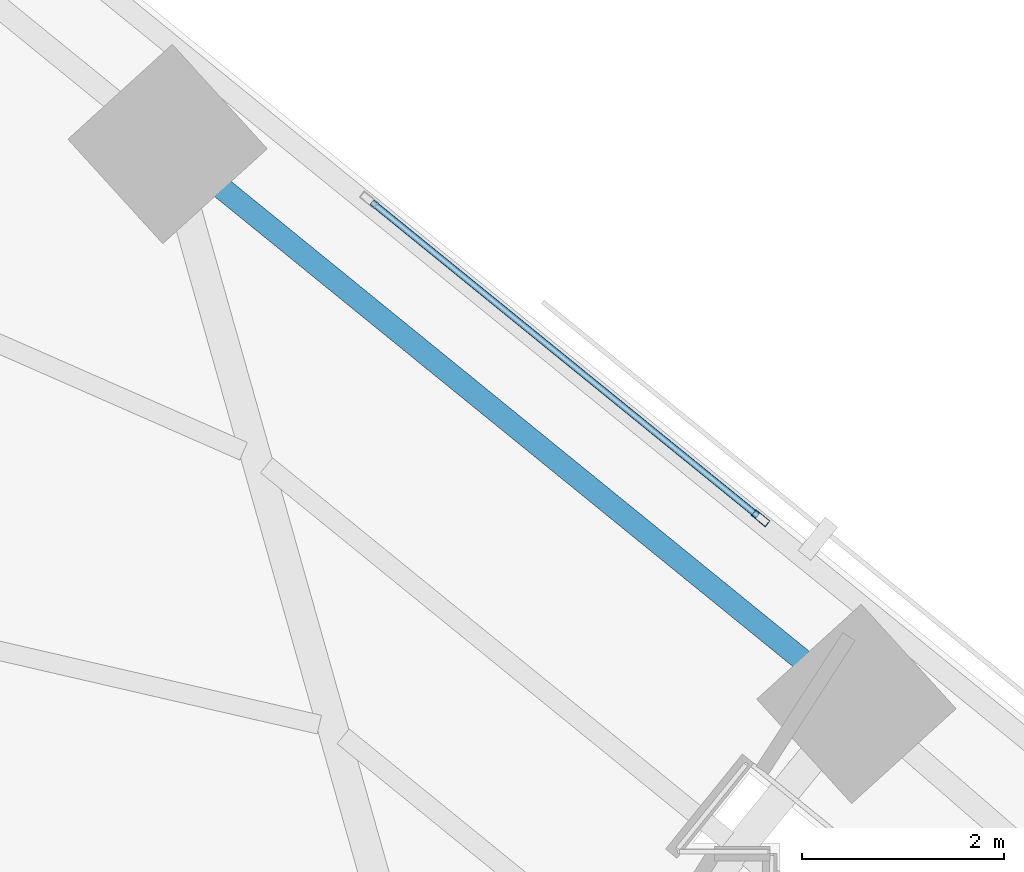
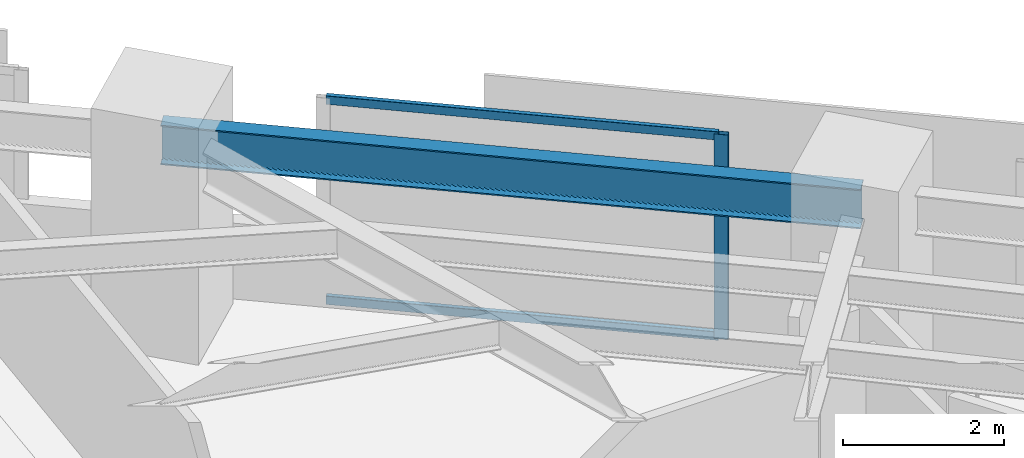
# One storey, part 11 of 17: 3 members, 1 beam, 1 element without a shape of its own.
"""IFC4 building model written with IfcOpenShell, lengths in metres."""

from ifc_helpers import new_model, si_unit, direction, frame, origin, origin_2d, place, context, subcontext, project, spatial, hollow_rectangle, i_section, extrude, material, material_profile, profile_set, type_object, element, aggregate, save


model = new_model("IFC4")

# Units and contexts
model_context = context("Model", 3, precision=1e-05, world=origin(), true_north=direction((0.0, 1.0)))
body_context = subcontext(model_context, "Body", "Model", "MODEL_VIEW")
ifc_project = project(units=[si_unit("LENGTHUNIT", "METRE"), si_unit("AREAUNIT", "SQUARE_METRE"), si_unit("VOLUMEUNIT", "CUBIC_METRE"), si_unit("PLANEANGLEUNIT", "RADIAN"), si_unit("MASSUNIT", "GRAM", prefix="KILO")], contexts=[model_context])

# Site, building, storey
site_placement = place(None, origin())
site = spatial("IfcSite", under=ifc_project, at=site_placement, CompositionType="ELEMENT")
building_placement = place(site_placement, origin())
building = spatial("IfcBuilding", under=site, at=building_placement, Name="Narakoshi Arena Tower", CompositionType="ELEMENT")
storey_placement = place(building_placement, frame((0.0, 0.0, 55.5)))
storey = spatial("IfcBuildingStorey", under=building, at=storey_placement, Name="L14", CompositionType="ELEMENT", Elevation=55.5)

# Beam
ifc_material_1 = material(Name="Structural steel S355J2", Category="steel")
ifc_material_profile_1 = material_profile(ifc_material_1, i_section(OverallWidth=0.219970703125, OverallDepth=0.60009765625, WebThickness=0.011962890625, FlangeThickness=0.01904296875, FilletRadius=0.02392578125, at=origin_2d()), Name="IPE600")
ifc_profile_set_1 = profile_set([ifc_material_profile_1], Name="Structural steel S355J2")
beam_type = type_object("IfcBeamType", Name="BM-EDGE-600", PredefinedType="BEAM", material=ifc_profile_set_1)
beam_placement = place(storey_placement, frame((89.459716796875, 61.28515625, 2.800048828125), z_axis=(-0.776011365227, 0.630718923958, 0.0), x_axis=(-0.630718923958, -0.776011365227, 0.0)))
element("IfcBeam", 1, at=beam_placement, inside=storey, type_object=beam_type, Name="L14 Perimeter Edge Girder 09", PredefinedType="BEAM", context=body_context, shape_type="SweptSolid", body=[
    extrude(i_section(OverallWidth=0.219970703125, OverallDepth=0.60009765625, WebThickness=0.011962890625, FlangeThickness=0.01904296875, FilletRadius=0.02392578125, at=origin_2d()), origin(), (0.0, 0.0, 1.0), 8.804931640625),
])

# Curtain wall, members
ifc_material_2 = material(Name="Anodised bronze aluminium 6063-T6", Category="aluminium")
curtain_wall_type = type_object("IfcCurtainWallType", Name="CW-HYP-LOW", PredefinedType="NOTDEFINED", material=ifc_material_2)
curtain_wall_placement = place(storey_placement, origin())
curtain_wall = element("IfcCurtainWall", 2, at=curtain_wall_placement, inside=storey, type_object=curtain_wall_type, Name="L14 Folded Hypotenuse Curtain Wall 2-2", PredefinedType="NOTDEFINED")
ifc_material_profile_2 = material_profile(ifc_material_2, hollow_rectangle(XDim=0.074951171875, YDim=0.179931640625, WallThickness=0.00390625, OuterFilletRadius=0.0048828125, at=origin_2d()), Name="MUL180x75x4")
ifc_profile_set_2 = profile_set([ifc_material_profile_2], Name="Anodised bronze aluminium 6063-T6")
member_type_1 = type_object("IfcMemberType", Name="MEM-MUL-180", PredefinedType="MULLION", material=ifc_profile_set_2)
member_1_placement = place(storey_placement, frame((88.509521484375, 63.126953125, 0.0), z_axis=(0.0, 0.0, 1.0), x_axis=(-0.630734833051, -0.775998434519, 0.0)))
member_1 = element("IfcMember", 3, at=member_1_placement, type_object=member_type_1, Name="CW-01 mullion 1", PredefinedType="MULLION", context=body_context, shape_type="SweptSolid", body=[
    extrude(hollow_rectangle(XDim=0.074951171875, YDim=0.179931640625, WallThickness=0.00390625, OuterFilletRadius=0.0048828125, at=origin_2d()), origin(), (0.0, 0.0, 1.0), 3.10009765625),
])
ifc_material_profile_3 = material_profile(ifc_material_2, hollow_rectangle(XDim=0.06494140625, YDim=0.1298828125, WallThickness=0.00390625, OuterFilletRadius=0.0048828125, at=origin_2d()), Name="TRN130x65x4")
ifc_profile_set_3 = profile_set([ifc_material_profile_3], Name="Anodised bronze aluminium 6063-T6")
member_type_2 = type_object("IfcMemberType", Name="MEM-TRN-130", PredefinedType="USERDEFINED", material=ifc_profile_set_3)
member_2_placement = place(storey_placement, frame((88.48046875, 63.150634765625, 0.032470703125), z_axis=(-0.776001951686, 0.630730505826, 0.0), x_axis=(-0.630730505826, -0.776001951686, 0.0)))
member_2 = element("IfcMember", 4, at=member_2_placement, type_object=member_type_2, Name="CW-01 transom 1.1", ObjectType="TRANSOM", PredefinedType="USERDEFINED", context=body_context, shape_type="SweptSolid", body=[
    extrude(hollow_rectangle(XDim=0.06494140625, YDim=0.1298828125, WallThickness=0.00390625, OuterFilletRadius=0.0048828125, at=origin_2d()), origin(), (0.0, 0.0, 1.0), 4.9326171875),
])
member_3_placement = place(storey_placement, frame((88.48046875, 63.150634765625, 3.0673828125), z_axis=(-0.776001951686, 0.630730505826, 0.0), x_axis=(-0.630730505826, -0.776001951686, 0.0)))
member_3 = element("IfcMember", 5, at=member_3_placement, type_object=member_type_2, Name="CW-01 transom 1.2", ObjectType="TRANSOM", PredefinedType="USERDEFINED", context=body_context, shape_type="SweptSolid", body=[
    extrude(hollow_rectangle(XDim=0.06494140625, YDim=0.1298828125, WallThickness=0.00390625, OuterFilletRadius=0.0048828125, at=origin_2d()), origin(), (0.0, 0.0, 1.0), 4.9326171875),
])
aggregate(curtain_wall, [member_1, member_2, member_3])

save(model, "model.ifc")
